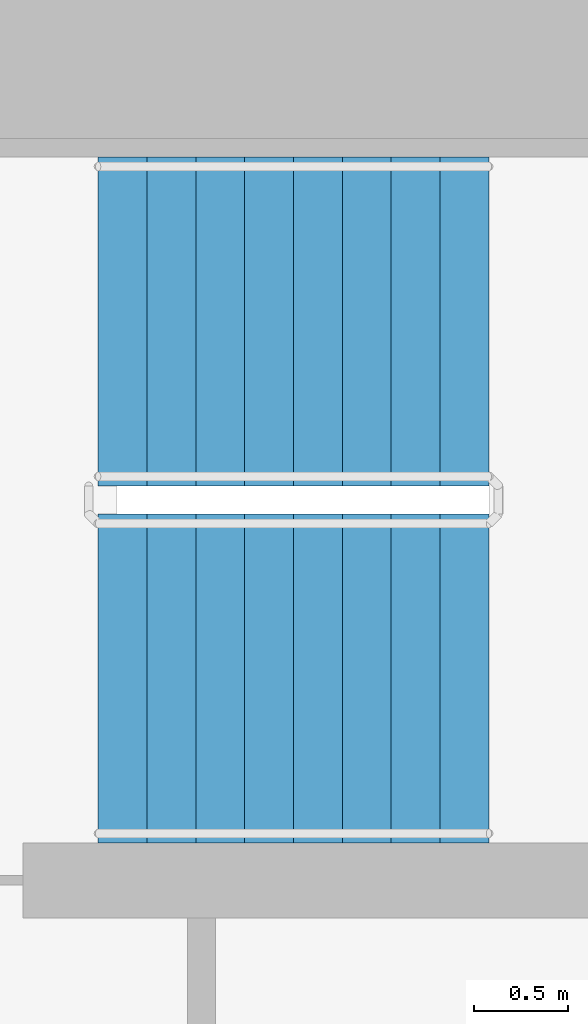
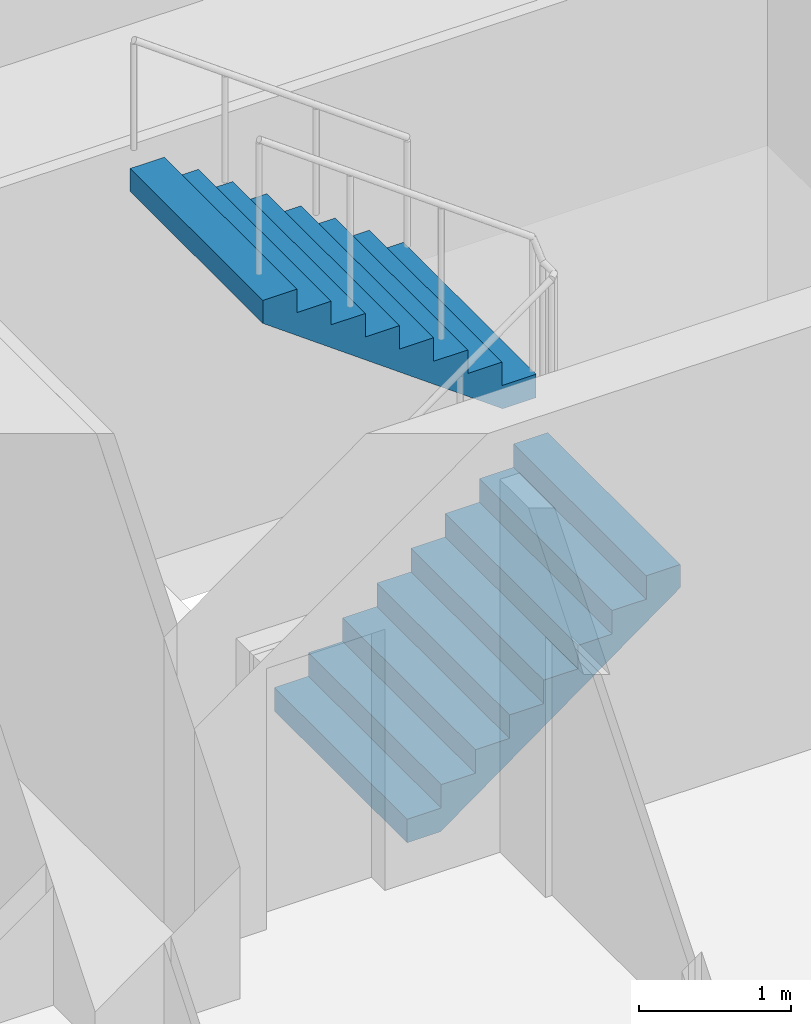
# One storey, part 18 of 23: 2 stair flights, 1 element without a shape of its own.
"""IFC4 building model written with IfcOpenShell, lengths in metres."""

from ifc_helpers import new_model, si_unit, direction, frame, origin, place, context, subcontext, project, spatial, faceted_brep, material, type_object, element, aggregate, save


model = new_model("IFC4")

# Units and contexts
model_context = context("Model", 3, precision=1e-05, world=origin(), true_north=direction((0.0, 1.0)))
body_context = subcontext(model_context, "Body", "Model", "MODEL_VIEW")
ifc_project = project(units=[si_unit("LENGTHUNIT", "METRE"), si_unit("AREAUNIT", "SQUARE_METRE"), si_unit("VOLUMEUNIT", "CUBIC_METRE"), si_unit("PLANEANGLEUNIT", "RADIAN"), si_unit("MASSUNIT", "GRAM", prefix="KILO")], contexts=[model_context])

# Site, building, storey
site_placement = place(None, origin())
site = spatial("IfcSite", under=ifc_project, at=site_placement, CompositionType="ELEMENT")
building_placement = place(site_placement, origin())
building = spatial("IfcBuilding", under=site, at=building_placement, Name="Ipe Terrace Towers", CompositionType="ELEMENT")
storey_placement = place(building_placement, frame((0.0, 0.0, 44.89990234375)))
storey = spatial("IfcBuildingStorey", under=building, at=storey_placement, Name="L11", CompositionType="ELEMENT", Elevation=44.89990234375)

# Stair, stair flights
ifc_material_1 = material(Name="Concrete C30/37", Category="concrete")
stair_type = type_object("IfcStairType", Name="Protected exit stair", PredefinedType="HALF_TURN_STAIR", material=ifc_material_1)
stair_placement = place(storey_placement, origin())
stair = element("IfcStair", 1, at=stair_placement, inside=storey, type_object=stair_type, Name="L11 Exit stair T1-C1", PredefinedType="HALF_TURN_STAIR")
ifc_material_2 = material(Name="Concrete C30/37", Category="concrete")
stair_flight_type = type_object("IfcStairFlightType", Name="Exit stair flight 1750", PredefinedType="STRAIGHT", material=ifc_material_2)
stair_flight_1_placement = place(storey_placement, frame((-26.300048828125, 2.77490234375, 0.0), z_axis=(0.0, 0.0, 1.0), x_axis=(1.0, 0.0, 0.0)))
stair_flight_1 = element("IfcStairFlight", 2, at=stair_flight_1_placement, type_object=stair_flight_type, Name="T1-ST1 flight 1", NumberOfRisers=9, NumberOfTreads=8, PredefinedType="STRAIGHT", RiserHeight=0.188888889, TreadLength=0.26, context=body_context, shape_type="Brep", body=[
    faceted_brep([(0.255126953125, -0.875, 0.0), (2.080078125, -0.875, 1.325927734375), (2.080078125, -0.875, 1.51123046875), (1.820068359375, -0.875, 1.51123046875), (1.820068359375, -0.875, 1.322265625), (1.56005859375, -0.875, 1.322265625), (1.56005859375, -0.875, 1.13330078125), (1.300048828125, -0.875, 1.13330078125), (1.300048828125, -0.875, 0.9443359375), (1.0400390625, -0.875, 0.9443359375), (1.0400390625, -0.875, 0.755615234375), (0.780029296875, -0.875, 0.755615234375), (0.780029296875, -0.875, 0.566650390625), (0.52001953125, -0.875, 0.566650390625), (0.52001953125, -0.875, 0.377685546875), (0.260009765625, -0.875, 0.377685546875), (0.260009765625, -0.875, 0.18896484375), (0.0, -0.875, 0.18896484375), (0.0, -0.875, 0.0), (0.0, 0.875, 0.0), (0.0, 0.875, 0.18896484375), (0.260009765625, 0.875, 0.18896484375), (0.260009765625, 0.875, 0.377685546875), (0.52001953125, 0.875, 0.377685546875), (0.52001953125, 0.875, 0.566650390625), (0.780029296875, 0.875, 0.566650390625), (0.780029296875, 0.875, 0.755615234375), (1.0400390625, 0.875, 0.755615234375), (1.0400390625, 0.875, 0.9443359375), (1.300048828125, 0.875, 0.9443359375), (1.300048828125, 0.875, 1.13330078125), (1.56005859375, 0.875, 1.13330078125), (1.56005859375, 0.875, 1.322265625), (1.820068359375, 0.875, 1.322265625), (1.820068359375, 0.875, 1.51123046875), (2.080078125, 0.875, 1.51123046875), (2.080078125, 0.875, 1.325927734375), (0.255126953125, 0.875, 0.0), (0.0, -0.300048828125, 0.18896484375), (0.0, -0.1201171875, 0.18896484375), (0.0, -0.06005859375, 0.18896484375), (0.0, -0.030029296875, 0.18896484375), (0.0, -0.010009765625, 0.18896484375), (0.0, 0.0, 0.18896484375), (0.0, 0.010009765625, 0.18896484375), (0.0, 0.030029296875, 0.18896484375), (0.0, 0.06005859375, 0.18896484375), (0.0, 0.1201171875, 0.18896484375), (0.0, 0.300048828125, 0.18896484375), (0.0, 0.300048828125, 0.0), (0.0, 0.1201171875, 0.0), (0.0, 0.06005859375, 0.0), (0.0, 0.030029296875, 0.0), (0.0, 0.010009765625, 0.0), (0.0, 0.0, 0.0), (0.0, -0.010009765625, 0.0), (0.0, -0.030029296875, 0.0), (0.0, -0.06005859375, 0.0), (0.0, -0.1201171875, 0.0), (0.0, -0.300048828125, 0.0), (0.260009765625, -0.300048828125, 0.18896484375), (0.260009765625, -0.1201171875, 0.18896484375), (0.260009765625, -0.06005859375, 0.18896484375), (0.260009765625, -0.030029296875, 0.18896484375), (0.260009765625, -0.010009765625, 0.18896484375), (0.260009765625, 0.0, 0.18896484375), (0.260009765625, 0.010009765625, 0.18896484375), (0.260009765625, 0.030029296875, 0.18896484375), (0.260009765625, 0.06005859375, 0.18896484375), (0.260009765625, 0.1201171875, 0.18896484375), (0.260009765625, 0.300048828125, 0.18896484375), (0.260009765625, -0.300048828125, 0.377685546875), (0.260009765625, -0.1201171875, 0.377685546875), (0.260009765625, -0.06005859375, 0.377685546875), (0.260009765625, -0.030029296875, 0.377685546875), (0.260009765625, -0.010009765625, 0.377685546875), (0.260009765625, 0.0, 0.377685546875), (0.260009765625, 0.010009765625, 0.377685546875), (0.260009765625, 0.030029296875, 0.377685546875), (0.260009765625, 0.06005859375, 0.377685546875), (0.260009765625, 0.1201171875, 0.377685546875), (0.260009765625, 0.300048828125, 0.377685546875), (0.52001953125, -0.300048828125, 0.377685546875), (0.52001953125, -0.1201171875, 0.377685546875), (0.52001953125, -0.06005859375, 0.377685546875), (0.52001953125, -0.030029296875, 0.377685546875), (0.52001953125, -0.010009765625, 0.377685546875), (0.52001953125, 0.0, 0.377685546875), (0.52001953125, 0.010009765625, 0.377685546875), (0.52001953125, 0.030029296875, 0.377685546875), (0.52001953125, 0.06005859375, 0.377685546875), (0.52001953125, 0.1201171875, 0.377685546875), (0.52001953125, 0.300048828125, 0.377685546875), (0.52001953125, -0.300048828125, 0.566650390625), (0.52001953125, -0.1201171875, 0.566650390625), (0.52001953125, -0.06005859375, 0.566650390625), (0.52001953125, -0.030029296875, 0.566650390625), (0.52001953125, -0.010009765625, 0.566650390625), (0.52001953125, 0.0, 0.566650390625), (0.52001953125, 0.010009765625, 0.566650390625), (0.52001953125, 0.030029296875, 0.566650390625), (0.52001953125, 0.06005859375, 0.566650390625), (0.52001953125, 0.1201171875, 0.566650390625), (0.52001953125, 0.300048828125, 0.566650390625), (0.780029296875, -0.300048828125, 0.566650390625), (0.780029296875, -0.1201171875, 0.566650390625), (0.780029296875, -0.06005859375, 0.566650390625), (0.780029296875, -0.030029296875, 0.566650390625), (0.780029296875, -0.010009765625, 0.566650390625), (0.780029296875, 0.0, 0.566650390625), (0.780029296875, 0.010009765625, 0.566650390625), (0.780029296875, 0.030029296875, 0.566650390625), (0.780029296875, 0.06005859375, 0.566650390625), (0.780029296875, 0.1201171875, 0.566650390625), (0.780029296875, 0.300048828125, 0.566650390625), (0.780029296875, -0.300048828125, 0.755615234375), (0.780029296875, -0.1201171875, 0.755615234375), (0.780029296875, -0.06005859375, 0.755615234375), (0.780029296875, -0.030029296875, 0.755615234375), (0.780029296875, -0.010009765625, 0.755615234375), (0.780029296875, 0.0, 0.755615234375), (0.780029296875, 0.010009765625, 0.755615234375), (0.780029296875, 0.030029296875, 0.755615234375), (0.780029296875, 0.06005859375, 0.755615234375), (0.780029296875, 0.1201171875, 0.755615234375), (0.780029296875, 0.300048828125, 0.755615234375), (1.0400390625, -0.300048828125, 0.755615234375), (1.0400390625, -0.1201171875, 0.755615234375), (1.0400390625, -0.06005859375, 0.755615234375), (1.0400390625, -0.030029296875, 0.755615234375), (1.0400390625, -0.010009765625, 0.755615234375), (1.0400390625, 0.0, 0.755615234375), (1.0400390625, 0.010009765625, 0.755615234375), (1.0400390625, 0.030029296875, 0.755615234375), (1.0400390625, 0.06005859375, 0.755615234375), (1.0400390625, 0.1201171875, 0.755615234375), (1.0400390625, 0.300048828125, 0.755615234375), (1.0400390625, -0.300048828125, 0.9443359375), (1.0400390625, -0.1201171875, 0.9443359375), (1.0400390625, -0.06005859375, 0.9443359375), (1.0400390625, -0.030029296875, 0.9443359375), (1.0400390625, -0.010009765625, 0.9443359375), (1.0400390625, 0.0, 0.9443359375), (1.0400390625, 0.010009765625, 0.9443359375), (1.0400390625, 0.030029296875, 0.9443359375), (1.0400390625, 0.06005859375, 0.9443359375), (1.0400390625, 0.1201171875, 0.9443359375), (1.0400390625, 0.300048828125, 0.9443359375), (1.300048828125, -0.300048828125, 0.9443359375), (1.300048828125, -0.1201171875, 0.9443359375), (1.300048828125, -0.06005859375, 0.9443359375), (1.300048828125, -0.030029296875, 0.9443359375), (1.300048828125, -0.010009765625, 0.9443359375), (1.300048828125, 0.0, 0.9443359375), (1.300048828125, 0.010009765625, 0.9443359375), (1.300048828125, 0.030029296875, 0.9443359375), (1.300048828125, 0.06005859375, 0.9443359375), (1.300048828125, 0.1201171875, 0.9443359375), (1.300048828125, 0.300048828125, 0.9443359375), (1.300048828125, -0.300048828125, 1.13330078125), (1.300048828125, -0.1201171875, 1.13330078125), (1.300048828125, -0.06005859375, 1.13330078125), (1.300048828125, -0.030029296875, 1.13330078125), (1.300048828125, -0.010009765625, 1.13330078125), (1.300048828125, 0.0, 1.13330078125), (1.300048828125, 0.010009765625, 1.13330078125), (1.300048828125, 0.030029296875, 1.13330078125), (1.300048828125, 0.06005859375, 1.13330078125), (1.300048828125, 0.1201171875, 1.13330078125), (1.300048828125, 0.300048828125, 1.13330078125), (1.56005859375, -0.300048828125, 1.13330078125), (1.56005859375, -0.1201171875, 1.13330078125), (1.56005859375, -0.06005859375, 1.13330078125), (1.56005859375, -0.030029296875, 1.13330078125), (1.56005859375, -0.010009765625, 1.13330078125), (1.56005859375, 0.0, 1.13330078125), (1.56005859375, 0.010009765625, 1.13330078125), (1.56005859375, 0.030029296875, 1.13330078125), (1.56005859375, 0.06005859375, 1.13330078125), (1.56005859375, 0.1201171875, 1.13330078125), (1.56005859375, 0.300048828125, 1.13330078125), (1.56005859375, -0.300048828125, 1.322265625), (1.56005859375, -0.1201171875, 1.322265625), (1.56005859375, -0.06005859375, 1.322265625), (1.56005859375, -0.030029296875, 1.322265625), (1.56005859375, -0.010009765625, 1.322265625), (1.56005859375, 0.0, 1.322265625), (1.56005859375, 0.010009765625, 1.322265625), (1.56005859375, 0.030029296875, 1.322265625), (1.56005859375, 0.06005859375, 1.322265625), (1.56005859375, 0.1201171875, 1.322265625), (1.56005859375, 0.300048828125, 1.322265625), (1.820068359375, -0.300048828125, 1.322265625), (1.820068359375, -0.1201171875, 1.322265625), (1.820068359375, -0.06005859375, 1.322265625), (1.820068359375, -0.030029296875, 1.322265625), (1.820068359375, -0.010009765625, 1.322265625), (1.820068359375, 0.0, 1.322265625), (1.820068359375, 0.010009765625, 1.322265625), (1.820068359375, 0.030029296875, 1.322265625), (1.820068359375, 0.06005859375, 1.322265625), (1.820068359375, 0.1201171875, 1.322265625), (1.820068359375, 0.300048828125, 1.322265625), (1.820068359375, -0.300048828125, 1.51123046875), (1.820068359375, -0.1201171875, 1.51123046875), (1.820068359375, -0.06005859375, 1.51123046875), (1.820068359375, -0.030029296875, 1.51123046875), (1.820068359375, -0.010009765625, 1.51123046875), (1.820068359375, 0.0, 1.51123046875), (1.820068359375, 0.010009765625, 1.51123046875), (1.820068359375, 0.030029296875, 1.51123046875), (1.820068359375, 0.06005859375, 1.51123046875), (1.820068359375, 0.1201171875, 1.51123046875), (1.820068359375, 0.300048828125, 1.51123046875), (2.080078125, -0.300048828125, 1.51123046875), (2.080078125, -0.1201171875, 1.51123046875), (2.080078125, -0.06005859375, 1.51123046875), (2.080078125, -0.030029296875, 1.51123046875), (2.080078125, -0.010009765625, 1.51123046875), (2.080078125, 0.0, 1.51123046875), (2.080078125, 0.010009765625, 1.51123046875), (2.080078125, 0.030029296875, 1.51123046875), (2.080078125, 0.06005859375, 1.51123046875), (2.080078125, 0.1201171875, 1.51123046875), (2.080078125, 0.300048828125, 1.51123046875), (2.080078125, -0.300048828125, 1.325927734375), (2.080078125, -0.1201171875, 1.325927734375), (2.080078125, -0.06005859375, 1.325927734375), (2.080078125, -0.030029296875, 1.325927734375), (2.080078125, -0.010009765625, 1.325927734375), (2.080078125, 0.0, 1.325927734375), (2.080078125, 0.010009765625, 1.325927734375), (2.080078125, 0.030029296875, 1.325927734375), (2.080078125, 0.06005859375, 1.325927734375), (2.080078125, 0.1201171875, 1.325927734375), (2.080078125, 0.300048828125, 1.325927734375), (0.255126953125, -0.300048828125, 0.0), (0.255126953125, -0.1201171875, 0.0), (0.255126953125, -0.06005859375, 0.0), (0.255126953125, -0.030029296875, 0.0), (0.255126953125, -0.010009765625, 0.0), (0.255126953125, 0.0, 0.0), (0.255126953125, 0.010009765625, 0.0), (0.255126953125, 0.030029296875, 0.0), (0.255126953125, 0.06005859375, 0.0), (0.255126953125, 0.1201171875, 0.0), (0.255126953125, 0.300048828125, 0.0)], [[[0, 1, 2, 3, 4, 5, 6, 7, 8, 9, 10, 11, 12, 13, 14, 15, 16, 17, 18]], [[19, 20, 21, 22, 23, 24, 25, 26, 27, 28, 29, 30, 31, 32, 33, 34, 35, 36, 37]], [[17, 38, 39, 40, 41, 42, 43, 44, 45, 46, 47, 48, 20, 19, 49, 50, 51, 52, 53, 54, 55, 56, 57, 58, 59, 18]], [[16, 60, 61, 62, 63, 64, 65, 66, 67, 68, 69, 70, 21, 20, 48, 47, 46, 45, 44, 43, 42, 41, 40, 39, 38, 17]], [[15, 71, 72, 73, 74, 75, 76, 77, 78, 79, 80, 81, 22, 21, 70, 69, 68, 67, 66, 65, 64, 63, 62, 61, 60, 16]], [[14, 82, 83, 84, 85, 86, 87, 88, 89, 90, 91, 92, 23, 22, 81, 80, 79, 78, 77, 76, 75, 74, 73, 72, 71, 15]], [[13, 93, 94, 95, 96, 97, 98, 99, 100, 101, 102, 103, 24, 23, 92, 91, 90, 89, 88, 87, 86, 85, 84, 83, 82, 14]], [[12, 104, 105, 106, 107, 108, 109, 110, 111, 112, 113, 114, 25, 24, 103, 102, 101, 100, 99, 98, 97, 96, 95, 94, 93, 13]], [[11, 115, 116, 117, 118, 119, 120, 121, 122, 123, 124, 125, 26, 25, 114, 113, 112, 111, 110, 109, 108, 107, 106, 105, 104, 12]], [[10, 126, 127, 128, 129, 130, 131, 132, 133, 134, 135, 136, 27, 26, 125, 124, 123, 122, 121, 120, 119, 118, 117, 116, 115, 11]], [[9, 137, 138, 139, 140, 141, 142, 143, 144, 145, 146, 147, 28, 27, 136, 135, 134, 133, 132, 131, 130, 129, 128, 127, 126, 10]], [[8, 148, 149, 150, 151, 152, 153, 154, 155, 156, 157, 158, 29, 28, 147, 146, 145, 144, 143, 142, 141, 140, 139, 138, 137, 9]], [[7, 159, 160, 161, 162, 163, 164, 165, 166, 167, 168, 169, 30, 29, 158, 157, 156, 155, 154, 153, 152, 151, 150, 149, 148, 8]], [[6, 170, 171, 172, 173, 174, 175, 176, 177, 178, 179, 180, 31, 30, 169, 168, 167, 166, 165, 164, 163, 162, 161, 160, 159, 7]], [[5, 181, 182, 183, 184, 185, 186, 187, 188, 189, 190, 191, 32, 31, 180, 179, 178, 177, 176, 175, 174, 173, 172, 171, 170, 6]], [[4, 192, 193, 194, 195, 196, 197, 198, 199, 200, 201, 202, 33, 32, 191, 190, 189, 188, 187, 186, 185, 184, 183, 182, 181, 5]], [[3, 203, 204, 205, 206, 207, 208, 209, 210, 211, 212, 213, 34, 33, 202, 201, 200, 199, 198, 197, 196, 195, 194, 193, 192, 4]], [[2, 214, 215, 216, 217, 218, 219, 220, 221, 222, 223, 224, 35, 34, 213, 212, 211, 210, 209, 208, 207, 206, 205, 204, 203, 3]], [[1, 225, 226, 227, 228, 229, 230, 231, 232, 233, 234, 235, 36, 35, 224, 223, 222, 221, 220, 219, 218, 217, 216, 215, 214, 2]], [[0, 236, 237, 238, 239, 240, 241, 242, 243, 244, 245, 246, 37, 36, 235, 234, 233, 232, 231, 230, 229, 228, 227, 226, 225, 1]], [[18, 59, 58, 57, 56, 55, 54, 53, 52, 51, 50, 49, 19, 37, 246, 245, 244, 243, 242, 241, 240, 239, 238, 237, 236, 0]]]),
])
stair_flight_2_placement = place(storey_placement, frame((-24.219970703125, 4.675048828125, 1.7001953125), z_axis=(0.0, 0.0, 1.0), x_axis=(-1.0, 0.0, 0.0)))
stair_flight_2 = element("IfcStairFlight", 3, at=stair_flight_2_placement, type_object=stair_flight_type, Name="T1-ST1 flight 2", NumberOfRisers=9, NumberOfTreads=8, PredefinedType="STRAIGHT", RiserHeight=0.188888889, TreadLength=0.26, context=body_context, shape_type="Brep", body=[
    faceted_brep([(0.255126953125, -0.875, 0.0), (2.080078125, -0.875, 1.325927734375), (2.080078125, -0.875, 1.51123046875), (1.820068359375, -0.875, 1.51123046875), (1.820068359375, -0.875, 1.322265625), (1.56005859375, -0.875, 1.322265625), (1.56005859375, -0.875, 1.13330078125), (1.300048828125, -0.875, 1.13330078125), (1.300048828125, -0.875, 0.9443359375), (1.0400390625, -0.875, 0.9443359375), (1.0400390625, -0.875, 0.755615234375), (0.780029296875, -0.875, 0.755615234375), (0.780029296875, -0.875, 0.566650390625), (0.52001953125, -0.875, 0.566650390625), (0.52001953125, -0.875, 0.377685546875), (0.260009765625, -0.875, 0.377685546875), (0.260009765625, -0.875, 0.18896484375), (0.0, -0.875, 0.18896484375), (0.0, -0.875, 0.0), (0.0, 0.875, 0.0), (0.0, 0.875, 0.18896484375), (0.260009765625, 0.875, 0.18896484375), (0.260009765625, 0.875, 0.377685546875), (0.52001953125, 0.875, 0.377685546875), (0.52001953125, 0.875, 0.566650390625), (0.780029296875, 0.875, 0.566650390625), (0.780029296875, 0.875, 0.755615234375), (1.0400390625, 0.875, 0.755615234375), (1.0400390625, 0.875, 0.9443359375), (1.300048828125, 0.875, 0.9443359375), (1.300048828125, 0.875, 1.13330078125), (1.56005859375, 0.875, 1.13330078125), (1.56005859375, 0.875, 1.322265625), (1.820068359375, 0.875, 1.322265625), (1.820068359375, 0.875, 1.51123046875), (2.080078125, 0.875, 1.51123046875), (2.080078125, 0.875, 1.325927734375), (0.255126953125, 0.875, 0.0), (0.0, -0.300048828125, 0.18896484375), (0.0, -0.1201171875, 0.18896484375), (0.0, -0.06005859375, 0.18896484375), (0.0, -0.030029296875, 0.18896484375), (0.0, -0.010009765625, 0.18896484375), (0.0, 0.0, 0.18896484375), (0.0, 0.010009765625, 0.18896484375), (0.0, 0.030029296875, 0.18896484375), (0.0, 0.06005859375, 0.18896484375), (0.0, 0.1201171875, 0.18896484375), (0.0, 0.300048828125, 0.18896484375), (0.0, 0.300048828125, 0.0), (0.0, 0.1201171875, 0.0), (0.0, 0.06005859375, 0.0), (0.0, 0.030029296875, 0.0), (0.0, 0.010009765625, 0.0), (0.0, 0.0, 0.0), (0.0, -0.010009765625, 0.0), (0.0, -0.030029296875, 0.0), (0.0, -0.06005859375, 0.0), (0.0, -0.1201171875, 0.0), (0.0, -0.300048828125, 0.0), (0.260009765625, -0.300048828125, 0.18896484375), (0.260009765625, -0.1201171875, 0.18896484375), (0.260009765625, -0.06005859375, 0.18896484375), (0.260009765625, -0.030029296875, 0.18896484375), (0.260009765625, -0.010009765625, 0.18896484375), (0.260009765625, 0.0, 0.18896484375), (0.260009765625, 0.010009765625, 0.18896484375), (0.260009765625, 0.030029296875, 0.18896484375), (0.260009765625, 0.06005859375, 0.18896484375), (0.260009765625, 0.1201171875, 0.18896484375), (0.260009765625, 0.300048828125, 0.18896484375), (0.260009765625, -0.300048828125, 0.377685546875), (0.260009765625, -0.1201171875, 0.377685546875), (0.260009765625, -0.06005859375, 0.377685546875), (0.260009765625, -0.030029296875, 0.377685546875), (0.260009765625, -0.010009765625, 0.377685546875), (0.260009765625, 0.0, 0.377685546875), (0.260009765625, 0.010009765625, 0.377685546875), (0.260009765625, 0.030029296875, 0.377685546875), (0.260009765625, 0.06005859375, 0.377685546875), (0.260009765625, 0.1201171875, 0.377685546875), (0.260009765625, 0.300048828125, 0.377685546875), (0.52001953125, -0.300048828125, 0.377685546875), (0.52001953125, -0.1201171875, 0.377685546875), (0.52001953125, -0.06005859375, 0.377685546875), (0.52001953125, -0.030029296875, 0.377685546875), (0.52001953125, -0.010009765625, 0.377685546875), (0.52001953125, 0.0, 0.377685546875), (0.52001953125, 0.010009765625, 0.377685546875), (0.52001953125, 0.030029296875, 0.377685546875), (0.52001953125, 0.06005859375, 0.377685546875), (0.52001953125, 0.1201171875, 0.377685546875), (0.52001953125, 0.300048828125, 0.377685546875), (0.52001953125, -0.300048828125, 0.566650390625), (0.52001953125, -0.1201171875, 0.566650390625), (0.52001953125, -0.06005859375, 0.566650390625), (0.52001953125, -0.030029296875, 0.566650390625), (0.52001953125, -0.010009765625, 0.566650390625), (0.52001953125, 0.0, 0.566650390625), (0.52001953125, 0.010009765625, 0.566650390625), (0.52001953125, 0.030029296875, 0.566650390625), (0.52001953125, 0.06005859375, 0.566650390625), (0.52001953125, 0.1201171875, 0.566650390625), (0.52001953125, 0.300048828125, 0.566650390625), (0.780029296875, -0.300048828125, 0.566650390625), (0.780029296875, -0.1201171875, 0.566650390625), (0.780029296875, -0.06005859375, 0.566650390625), (0.780029296875, -0.030029296875, 0.566650390625), (0.780029296875, -0.010009765625, 0.566650390625), (0.780029296875, 0.0, 0.566650390625), (0.780029296875, 0.010009765625, 0.566650390625), (0.780029296875, 0.030029296875, 0.566650390625), (0.780029296875, 0.06005859375, 0.566650390625), (0.780029296875, 0.1201171875, 0.566650390625), (0.780029296875, 0.300048828125, 0.566650390625), (0.780029296875, -0.300048828125, 0.755615234375), (0.780029296875, -0.1201171875, 0.755615234375), (0.780029296875, -0.06005859375, 0.755615234375), (0.780029296875, -0.030029296875, 0.755615234375), (0.780029296875, -0.010009765625, 0.755615234375), (0.780029296875, 0.0, 0.755615234375), (0.780029296875, 0.010009765625, 0.755615234375), (0.780029296875, 0.030029296875, 0.755615234375), (0.780029296875, 0.06005859375, 0.755615234375), (0.780029296875, 0.1201171875, 0.755615234375), (0.780029296875, 0.300048828125, 0.755615234375), (1.0400390625, -0.300048828125, 0.755615234375), (1.0400390625, -0.1201171875, 0.755615234375), (1.0400390625, -0.06005859375, 0.755615234375), (1.0400390625, -0.030029296875, 0.755615234375), (1.0400390625, -0.010009765625, 0.755615234375), (1.0400390625, 0.0, 0.755615234375), (1.0400390625, 0.010009765625, 0.755615234375), (1.0400390625, 0.030029296875, 0.755615234375), (1.0400390625, 0.06005859375, 0.755615234375), (1.0400390625, 0.1201171875, 0.755615234375), (1.0400390625, 0.300048828125, 0.755615234375), (1.0400390625, -0.300048828125, 0.9443359375), (1.0400390625, -0.1201171875, 0.9443359375), (1.0400390625, -0.06005859375, 0.9443359375), (1.0400390625, -0.030029296875, 0.9443359375), (1.0400390625, -0.010009765625, 0.9443359375), (1.0400390625, 0.0, 0.9443359375), (1.0400390625, 0.010009765625, 0.9443359375), (1.0400390625, 0.030029296875, 0.9443359375), (1.0400390625, 0.06005859375, 0.9443359375), (1.0400390625, 0.1201171875, 0.9443359375), (1.0400390625, 0.300048828125, 0.9443359375), (1.300048828125, -0.300048828125, 0.9443359375), (1.300048828125, -0.1201171875, 0.9443359375), (1.300048828125, -0.06005859375, 0.9443359375), (1.300048828125, -0.030029296875, 0.9443359375), (1.300048828125, -0.010009765625, 0.9443359375), (1.300048828125, 0.0, 0.9443359375), (1.300048828125, 0.010009765625, 0.9443359375), (1.300048828125, 0.030029296875, 0.9443359375), (1.300048828125, 0.06005859375, 0.9443359375), (1.300048828125, 0.1201171875, 0.9443359375), (1.300048828125, 0.300048828125, 0.9443359375), (1.300048828125, -0.300048828125, 1.13330078125), (1.300048828125, -0.1201171875, 1.13330078125), (1.300048828125, -0.06005859375, 1.13330078125), (1.300048828125, -0.030029296875, 1.13330078125), (1.300048828125, -0.010009765625, 1.13330078125), (1.300048828125, 0.0, 1.13330078125), (1.300048828125, 0.010009765625, 1.13330078125), (1.300048828125, 0.030029296875, 1.13330078125), (1.300048828125, 0.06005859375, 1.13330078125), (1.300048828125, 0.1201171875, 1.13330078125), (1.300048828125, 0.300048828125, 1.13330078125), (1.56005859375, -0.300048828125, 1.13330078125), (1.56005859375, -0.1201171875, 1.13330078125), (1.56005859375, -0.06005859375, 1.13330078125), (1.56005859375, -0.030029296875, 1.13330078125), (1.56005859375, -0.010009765625, 1.13330078125), (1.56005859375, 0.0, 1.13330078125), (1.56005859375, 0.010009765625, 1.13330078125), (1.56005859375, 0.030029296875, 1.13330078125), (1.56005859375, 0.06005859375, 1.13330078125), (1.56005859375, 0.1201171875, 1.13330078125), (1.56005859375, 0.300048828125, 1.13330078125), (1.56005859375, -0.300048828125, 1.322265625), (1.56005859375, -0.1201171875, 1.322265625), (1.56005859375, -0.06005859375, 1.322265625), (1.56005859375, -0.030029296875, 1.322265625), (1.56005859375, -0.010009765625, 1.322265625), (1.56005859375, 0.0, 1.322265625), (1.56005859375, 0.010009765625, 1.322265625), (1.56005859375, 0.030029296875, 1.322265625), (1.56005859375, 0.06005859375, 1.322265625), (1.56005859375, 0.1201171875, 1.322265625), (1.56005859375, 0.300048828125, 1.322265625), (1.820068359375, -0.300048828125, 1.322265625), (1.820068359375, -0.1201171875, 1.322265625), (1.820068359375, -0.06005859375, 1.322265625), (1.820068359375, -0.030029296875, 1.322265625), (1.820068359375, -0.010009765625, 1.322265625), (1.820068359375, 0.0, 1.322265625), (1.820068359375, 0.010009765625, 1.322265625), (1.820068359375, 0.030029296875, 1.322265625), (1.820068359375, 0.06005859375, 1.322265625), (1.820068359375, 0.1201171875, 1.322265625), (1.820068359375, 0.300048828125, 1.322265625), (1.820068359375, -0.300048828125, 1.51123046875), (1.820068359375, -0.1201171875, 1.51123046875), (1.820068359375, -0.06005859375, 1.51123046875), (1.820068359375, -0.030029296875, 1.51123046875), (1.820068359375, -0.010009765625, 1.51123046875), (1.820068359375, 0.0, 1.51123046875), (1.820068359375, 0.010009765625, 1.51123046875), (1.820068359375, 0.030029296875, 1.51123046875), (1.820068359375, 0.06005859375, 1.51123046875), (1.820068359375, 0.1201171875, 1.51123046875), (1.820068359375, 0.300048828125, 1.51123046875), (2.080078125, -0.300048828125, 1.51123046875), (2.080078125, -0.1201171875, 1.51123046875), (2.080078125, -0.06005859375, 1.51123046875), (2.080078125, -0.030029296875, 1.51123046875), (2.080078125, -0.010009765625, 1.51123046875), (2.080078125, 0.0, 1.51123046875), (2.080078125, 0.010009765625, 1.51123046875), (2.080078125, 0.030029296875, 1.51123046875), (2.080078125, 0.06005859375, 1.51123046875), (2.080078125, 0.1201171875, 1.51123046875), (2.080078125, 0.300048828125, 1.51123046875), (2.080078125, -0.300048828125, 1.325927734375), (2.080078125, -0.1201171875, 1.325927734375), (2.080078125, -0.06005859375, 1.325927734375), (2.080078125, -0.030029296875, 1.325927734375), (2.080078125, -0.010009765625, 1.325927734375), (2.080078125, 0.0, 1.325927734375), (2.080078125, 0.010009765625, 1.325927734375), (2.080078125, 0.030029296875, 1.325927734375), (2.080078125, 0.06005859375, 1.325927734375), (2.080078125, 0.1201171875, 1.325927734375), (2.080078125, 0.300048828125, 1.325927734375), (0.255126953125, -0.300048828125, 0.0), (0.255126953125, -0.1201171875, 0.0), (0.255126953125, -0.06005859375, 0.0), (0.255126953125, -0.030029296875, 0.0), (0.255126953125, -0.010009765625, 0.0), (0.255126953125, 0.0, 0.0), (0.255126953125, 0.010009765625, 0.0), (0.255126953125, 0.030029296875, 0.0), (0.255126953125, 0.06005859375, 0.0), (0.255126953125, 0.1201171875, 0.0), (0.255126953125, 0.300048828125, 0.0)], [[[0, 1, 2, 3, 4, 5, 6, 7, 8, 9, 10, 11, 12, 13, 14, 15, 16, 17, 18]], [[19, 20, 21, 22, 23, 24, 25, 26, 27, 28, 29, 30, 31, 32, 33, 34, 35, 36, 37]], [[17, 38, 39, 40, 41, 42, 43, 44, 45, 46, 47, 48, 20, 19, 49, 50, 51, 52, 53, 54, 55, 56, 57, 58, 59, 18]], [[16, 60, 61, 62, 63, 64, 65, 66, 67, 68, 69, 70, 21, 20, 48, 47, 46, 45, 44, 43, 42, 41, 40, 39, 38, 17]], [[15, 71, 72, 73, 74, 75, 76, 77, 78, 79, 80, 81, 22, 21, 70, 69, 68, 67, 66, 65, 64, 63, 62, 61, 60, 16]], [[14, 82, 83, 84, 85, 86, 87, 88, 89, 90, 91, 92, 23, 22, 81, 80, 79, 78, 77, 76, 75, 74, 73, 72, 71, 15]], [[13, 93, 94, 95, 96, 97, 98, 99, 100, 101, 102, 103, 24, 23, 92, 91, 90, 89, 88, 87, 86, 85, 84, 83, 82, 14]], [[12, 104, 105, 106, 107, 108, 109, 110, 111, 112, 113, 114, 25, 24, 103, 102, 101, 100, 99, 98, 97, 96, 95, 94, 93, 13]], [[11, 115, 116, 117, 118, 119, 120, 121, 122, 123, 124, 125, 26, 25, 114, 113, 112, 111, 110, 109, 108, 107, 106, 105, 104, 12]], [[10, 126, 127, 128, 129, 130, 131, 132, 133, 134, 135, 136, 27, 26, 125, 124, 123, 122, 121, 120, 119, 118, 117, 116, 115, 11]], [[9, 137, 138, 139, 140, 141, 142, 143, 144, 145, 146, 147, 28, 27, 136, 135, 134, 133, 132, 131, 130, 129, 128, 127, 126, 10]], [[8, 148, 149, 150, 151, 152, 153, 154, 155, 156, 157, 158, 29, 28, 147, 146, 145, 144, 143, 142, 141, 140, 139, 138, 137, 9]], [[7, 159, 160, 161, 162, 163, 164, 165, 166, 167, 168, 169, 30, 29, 158, 157, 156, 155, 154, 153, 152, 151, 150, 149, 148, 8]], [[6, 170, 171, 172, 173, 174, 175, 176, 177, 178, 179, 180, 31, 30, 169, 168, 167, 166, 165, 164, 163, 162, 161, 160, 159, 7]], [[5, 181, 182, 183, 184, 185, 186, 187, 188, 189, 190, 191, 32, 31, 180, 179, 178, 177, 176, 175, 174, 173, 172, 171, 170, 6]], [[4, 192, 193, 194, 195, 196, 197, 198, 199, 200, 201, 202, 33, 32, 191, 190, 189, 188, 187, 186, 185, 184, 183, 182, 181, 5]], [[3, 203, 204, 205, 206, 207, 208, 209, 210, 211, 212, 213, 34, 33, 202, 201, 200, 199, 198, 197, 196, 195, 194, 193, 192, 4]], [[2, 214, 215, 216, 217, 218, 219, 220, 221, 222, 223, 224, 35, 34, 213, 212, 211, 210, 209, 208, 207, 206, 205, 204, 203, 3]], [[1, 225, 226, 227, 228, 229, 230, 231, 232, 233, 234, 235, 36, 35, 224, 223, 222, 221, 220, 219, 218, 217, 216, 215, 214, 2]], [[0, 236, 237, 238, 239, 240, 241, 242, 243, 244, 245, 246, 37, 36, 235, 234, 233, 232, 231, 230, 229, 228, 227, 226, 225, 1]], [[18, 59, 58, 57, 56, 55, 54, 53, 52, 51, 50, 49, 19, 37, 246, 245, 244, 243, 242, 241, 240, 239, 238, 237, 236, 0]]]),
])
aggregate(stair, [stair_flight_1, stair_flight_2])

save(model, "model.ifc")
